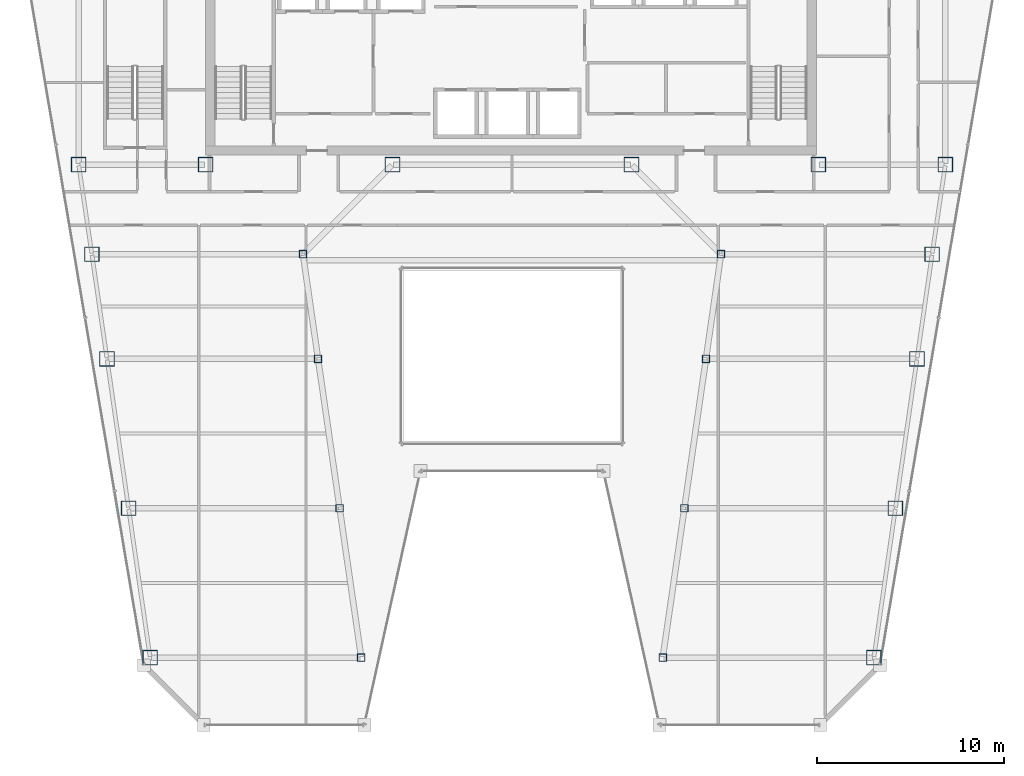
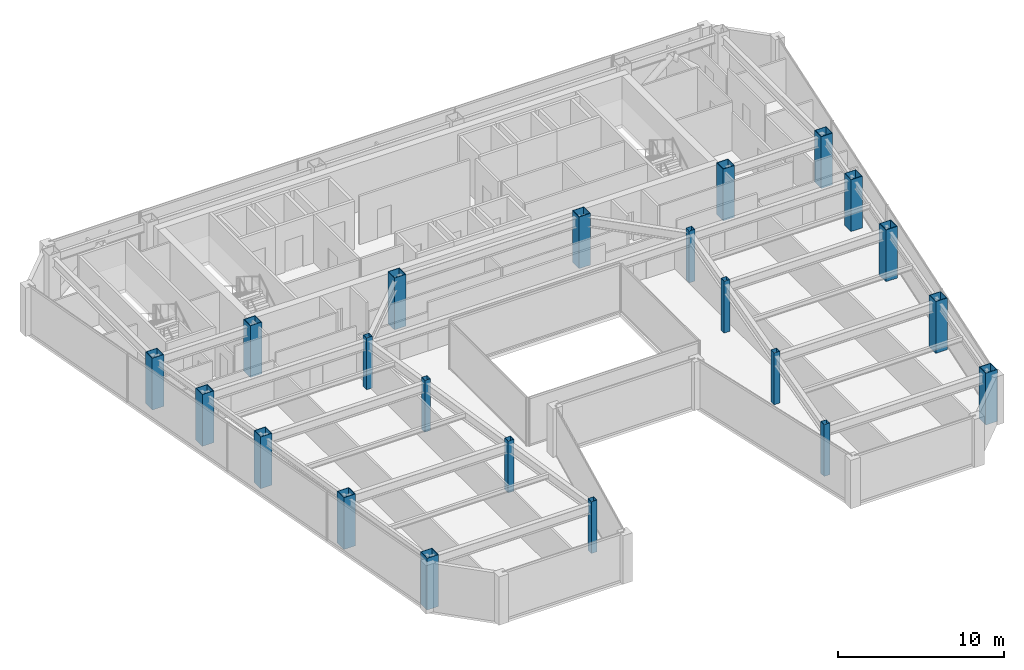
# One storey, part 1 of 36: 22 columns.
"""IFC4 building model written with IfcOpenShell, lengths in metres."""

from ifc_helpers import new_model, si_unit, direction, frame, origin, origin_2d, place, context, subcontext, project, spatial, hollow_rectangle, extrude, material, material_profile, profile_set, type_object, element, save


model = new_model("IFC4")

# Units and contexts
model_context = context("Model", 3, precision=1e-05, world=origin(), true_north=direction((0.0, 1.0)))
body_context = subcontext(model_context, "Body", "Model", "MODEL_VIEW")
ifc_project = project(units=[si_unit("LENGTHUNIT", "METRE"), si_unit("AREAUNIT", "SQUARE_METRE"), si_unit("VOLUMEUNIT", "CUBIC_METRE"), si_unit("PLANEANGLEUNIT", "RADIAN"), si_unit("MASSUNIT", "GRAM", prefix="KILO")], contexts=[model_context])

# Site, building, storey
site_placement = place(None, origin())
site = spatial("IfcSite", under=ifc_project, at=site_placement, CompositionType="ELEMENT")
building_placement = place(site_placement, origin())
building = spatial("IfcBuilding", under=site, at=building_placement, Name="Saevonmaru Cultural Tower", CompositionType="ELEMENT")
storey_placement = place(building_placement, frame((0.0, 0.0, 186.60009765625)))
storey = spatial("IfcBuildingStorey", under=building, at=storey_placement, Name="L42", CompositionType="ELEMENT", Elevation=186.60009765625)

# Columns
ifc_material_1 = material(Name="Steel SM420", Category="steel")
ifc_material_profile_1 = material_profile(ifc_material_1, hollow_rectangle(XDim=0.800048828125, YDim=0.800048828125, WallThickness=0.035888671875, at=origin_2d()), Name="BOX-800x800x36")
ifc_profile_set_1 = profile_set([ifc_material_profile_1], Name="Steel SM420")
column_type_1 = type_object("IfcColumnType", Name="COL-BOX-800", PredefinedType="COLUMN", material=ifc_profile_set_1)
for number, where, z_axis, x_axis, name in (
    (1, (6.800048828125, 42.39990234375, 0.0), (0.0, 0.0, 1.0), (1.0, 0.0, 0.0), "L42 Column TC-S1C"),
    (2, (13.60009765625, 42.39990234375, 0.0), (0.0, 0.0, 1.0), (1.0, 0.0, 0.0), "L42 Column TC-S2C"),
    (3, (23.60009765625, 42.39990234375, 0.0), (0.0, 0.0, 1.0), (1.0, 0.0, 0.0), "L42 Column TC-S3C"),
    (4, (36.39990234375, 42.39990234375, 0.0), (0.0, 0.0, 1.0), (1.0, 0.0, 0.0), "L42 Column TC-S4C"),
    (5, (46.39990234375, 42.39990234375, 0.0), (0.0, 0.0, 1.0), (1.0, 0.0, 0.0), "L42 Column TC-S5C"),
    (6, (53.199951171875, 42.39990234375, 0.0), (0.0, 0.0, 1.0), (1.0, 0.0, 0.0), "L42 Column TC-S6C"),
    (7, (10.6279296875, 16.0, 0.0), (0.0, 0.0, 1.0), (1.0, 0.0, 0.0), "L42 Column TC-WO-Y160"),
    (8, (49.3720703125, 16.0, 0.0), (0.0, 0.0, 1.0), (1.0, 0.0, 0.0), "L42 Column TC-EO-Y160"),
    (9, (9.471923828125, 24.0, 0.0), (0.0, 0.0, 1.0), (1.0, 0.0, 0.0), "L42 Column TC-WO-Y240"),
    (10, (50.528076171875, 24.0, 0.0), (0.0, 0.0, 1.0), (1.0, 0.0, 0.0), "L42 Column TC-EO-Y240"),
    (11, (8.31689453125, 32.0, 0.0), (0.0, 0.0, 1.0), (1.0, 0.0, 0.0), "L42 Column TC-WO-Y320"),
    (12, (51.68310546875, 32.0, 0.0), (0.0, 0.0, 1.0), (1.0, 0.0, 0.0), "L42 Column TC-EO-Y320"),
    (13, (7.508056640625, 37.60009765625, 0.0), (0.0, 0.0, 1.0), (1.0, 0.0, 0.0), "L42 Column TC-WO-Y376"),
    (14, (52.491943359375, 37.60009765625, 0.0), (0.0, 0.0, 1.0), (1.0, 0.0, 0.0), "L42 Column TC-EO-Y376"),
):
    element("IfcColumn", number, at=place(storey_placement, frame(where, z_axis=z_axis, x_axis=x_axis)), inside=storey, type_object=column_type_1, Name=name, PredefinedType="COLUMN", context=body_context, shape_type="SweptSolid", body=[
        extrude(hollow_rectangle(XDim=0.800048828125, YDim=0.800048828125, WallThickness=0.035888671875, at=origin_2d()), origin(), (0.0, 0.0, 1.0), 3.7998046875),
    ])
ifc_material_2 = material(Name="Steel SM355", Category="steel")
ifc_material_profile_2 = material_profile(ifc_material_2, hollow_rectangle(XDim=0.39990234375, YDim=0.39990234375, WallThickness=0.01611328125, at=origin_2d()), Name="SHS-400x400x16")
ifc_profile_set_2 = profile_set([ifc_material_profile_2], Name="Steel SM355")
column_type_2 = type_object("IfcColumnType", Name="COL-SHS-400", PredefinedType="COLUMN", material=ifc_profile_set_2)
for number, where, z_axis, x_axis, name in (
    (15, (21.927978515625, 16.0, 0.0), (0.0, 0.0, 1.0), (1.0, 0.0, 0.0), "L42 Column TC-WI-Y160"),
    (16, (38.072021484375, 16.0, 0.0), (0.0, 0.0, 1.0), (1.0, 0.0, 0.0), "L42 Column TC-EI-Y160"),
    (17, (20.77197265625, 24.0, 0.0), (0.0, 0.0, 1.0), (1.0, 0.0, 0.0), "L42 Column TC-WI-Y240"),
    (18, (39.22802734375, 24.0, 0.0), (0.0, 0.0, 1.0), (1.0, 0.0, 0.0), "L42 Column TC-EI-Y240"),
    (19, (19.616943359375, 32.0, 0.0), (0.0, 0.0, 1.0), (1.0, 0.0, 0.0), "L42 Column TC-WI-Y320"),
    (20, (40.383056640625, 32.0, 0.0), (0.0, 0.0, 1.0), (1.0, 0.0, 0.0), "L42 Column TC-EI-Y320"),
    (21, (18.80810546875, 37.60009765625, 0.0), (0.0, 0.0, 1.0), (1.0, 0.0, 0.0), "L42 Column TC-WI-Y376"),
    (22, (41.19189453125, 37.60009765625, 0.0), (0.0, 0.0, 1.0), (1.0, 0.0, 0.0), "L42 Column TC-EI-Y376"),
):
    element("IfcColumn", number, at=place(storey_placement, frame(where, z_axis=z_axis, x_axis=x_axis)), inside=storey, type_object=column_type_2, Name=name, PredefinedType="COLUMN", context=body_context, shape_type="SweptSolid", body=[
        extrude(hollow_rectangle(XDim=0.39990234375, YDim=0.39990234375, WallThickness=0.01611328125, at=origin_2d()), origin(), (0.0, 0.0, 1.0), 3.7998046875),
    ])

save(model, "model.ifc")
